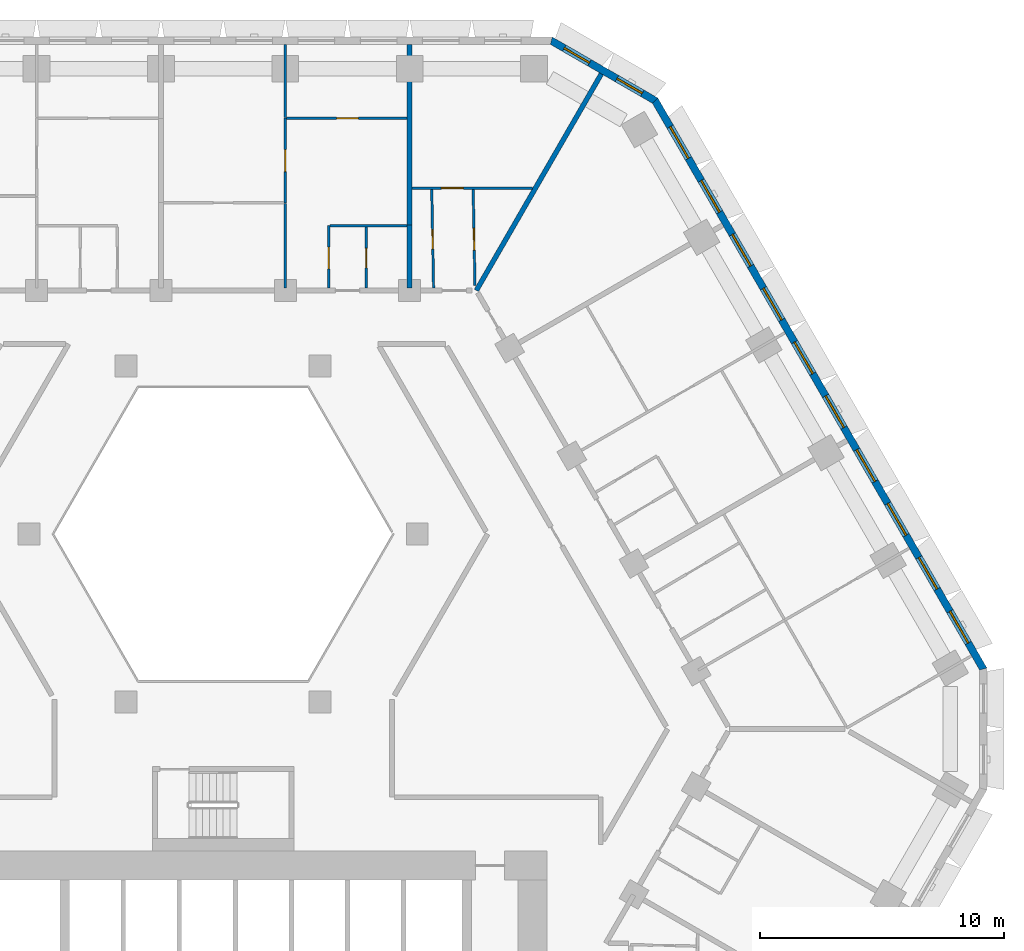
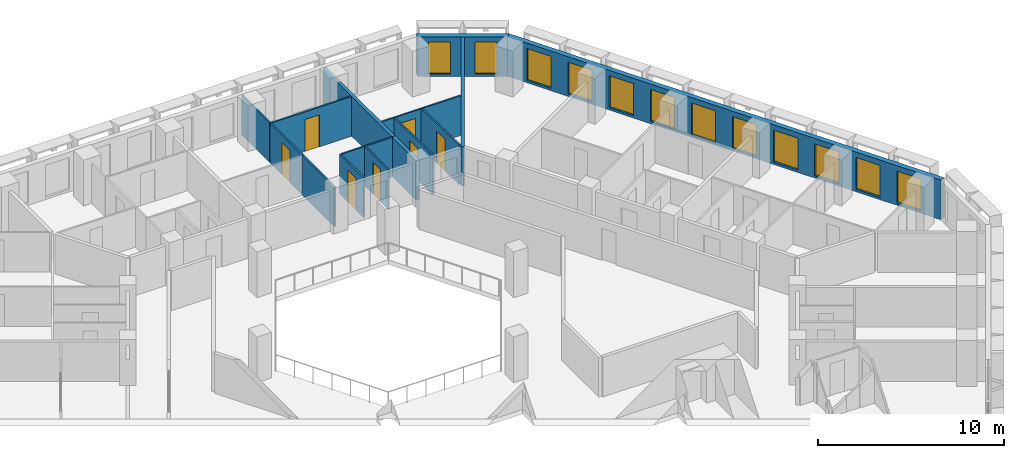
# One storey, part 12 of 21: 15 walls, 12 windows, 7 doors, 19 openings.
"""IFC4 building model written with IfcOpenShell, lengths in metres."""

from ifc_helpers import new_model, si_unit, direction, frame, frame_2d, origin, place, context, subcontext, project, spatial, polyline, rectangle, outline, extrude, material, layer, layer_set, type_object, element, fill, save


model = new_model("IFC4")

# Units and contexts
model_context = context("Model", 3, precision=1e-05, world=origin(), true_north=direction((0.0, 1.0)))
body_context = subcontext(model_context, "Body", "Model", "MODEL_VIEW")
ifc_project = project(units=[si_unit("LENGTHUNIT", "METRE"), si_unit("AREAUNIT", "SQUARE_METRE"), si_unit("VOLUMEUNIT", "CUBIC_METRE"), si_unit("PLANEANGLEUNIT", "RADIAN"), si_unit("MASSUNIT", "GRAM", prefix="KILO")], contexts=[model_context])

# Site, building, storey
site_placement = place(None, origin())
site = spatial("IfcSite", under=ifc_project, at=site_placement, CompositionType="ELEMENT")
building_placement = place(site_placement, origin())
building = spatial("IfcBuilding", under=site, at=building_placement, Name="Beryl Residences", CompositionType="ELEMENT")
storey_placement = place(building_placement, frame((0.0, 0.0, 59.39990234375)))
storey = spatial("IfcBuildingStorey", under=building, at=storey_placement, Name="L18", CompositionType="ELEMENT", Elevation=59.39990234375)

# Wall, openings, windows
ifc_material_1 = material(Name="Composite metal panel with mineral wool insulation")
ifc_layer_1 = layer(ifc_material_1, 0.300048828125)
ifc_layer_set_1 = layer_set([ifc_layer_1], Name="ES1 pale metal composite panel wall 300 mm")
wall_type_1 = type_object("IfcWallType", Name="ES1 pale metal composite panel wall 300 mm", PredefinedType="SOLIDWALL", material=ifc_layer_set_1)
wall_1_placement = place(storey_placement, frame((31.219970703125, 2.425048828125, 0.0), z_axis=(0.0, 0.0, 1.0), x_axis=(-0.500001938803, 0.866024284413, 0.0)))
wall_1 = element("IfcWall", 1, at=wall_1_placement, inside=storey, type_object=wall_type_1, Name="ES1 external wall L18 NE", PredefinedType="SOLIDWALL", context=body_context, shape_type="SweptSolid", body=[
    extrude(outline(polyline([(0.0, -0.14990234375), (27.02001953125, -0.14990234375), (26.939697265625, 0.14990234375), (0.080322265625, 0.14990234375), (0.0, -0.14990234375)])), origin(), (0.0, 0.0, 1.0), 2.60009765625),
])
opening_1_placement = place(wall_1_placement, frame((1.277099609375, 0.0, 0.14990234375)))
opening_1 = element("IfcOpeningElement", 2, at=opening_1_placement, cuts=wall_1, Name="Opening W1", PredefinedType="OPENING", context=body_context, shape_type="SweptSolid", body=[
    extrude(rectangle(XDim=1.5, YDim=2.10009765625, at=frame_2d((0.75, 1.050048828125))), frame((0.0, 0.159912109375, 0.0), z_axis=(0.0, -1.0, 0.0), x_axis=(1.0, 0.0, 0.0)), (0.0, 0.0, 1.0), 0.320068359375),
])
opening_2_placement = place(wall_1_placement, frame((3.8291015625, 0.0, 0.14990234375)))
opening_2 = element("IfcOpeningElement", 3, at=opening_2_placement, cuts=wall_1, Name="Opening W1", PredefinedType="OPENING", context=body_context, shape_type="SweptSolid", body=[
    extrude(rectangle(XDim=1.5, YDim=2.10009765625, at=frame_2d((0.75, 1.050048828125))), frame((0.0, 0.159912109375, 0.0), z_axis=(0.0, -1.0, 0.0), x_axis=(1.0, 0.0, 0.0)), (0.0, 0.0, 1.0), 0.320068359375),
])
opening_3_placement = place(wall_1_placement, frame((6.382080078125, 0.0, 0.14990234375)))
opening_3 = element("IfcOpeningElement", 4, at=opening_3_placement, cuts=wall_1, Name="Opening W1", PredefinedType="OPENING", context=body_context, shape_type="SweptSolid", body=[
    extrude(rectangle(XDim=1.5, YDim=2.10009765625, at=frame_2d((0.75, 1.050048828125))), frame((0.0, 0.159912109375, 0.0), z_axis=(0.0, -1.0, 0.0), x_axis=(1.0, 0.0, 0.0)), (0.0, 0.0, 1.0), 0.320068359375),
])
opening_4_placement = place(wall_1_placement, frame((8.93310546875, 0.0, 0.14990234375)))
opening_4 = element("IfcOpeningElement", 5, at=opening_4_placement, cuts=wall_1, Name="Opening W1", PredefinedType="OPENING", context=body_context, shape_type="SweptSolid", body=[
    extrude(rectangle(XDim=1.5, YDim=2.10009765625, at=frame_2d((0.75, 1.050048828125))), frame((0.0, 0.159912109375, 0.0), z_axis=(0.0, -1.0, 0.0), x_axis=(1.0, 0.0, 0.0)), (0.0, 0.0, 1.0), 0.320068359375),
])
opening_5_placement = place(wall_1_placement, frame((11.485107421875, 0.0, 0.14990234375)))
opening_5 = element("IfcOpeningElement", 6, at=opening_5_placement, cuts=wall_1, Name="Opening W1", PredefinedType="OPENING", context=body_context, shape_type="SweptSolid", body=[
    extrude(rectangle(XDim=1.5, YDim=2.10009765625, at=frame_2d((0.75, 1.050048828125))), frame((0.0, 0.159912109375, 0.0), z_axis=(0.0, -1.0, 0.0), x_axis=(1.0, 0.0, 0.0)), (0.0, 0.0, 1.0), 0.320068359375),
])
opening_6_placement = place(wall_1_placement, frame((14.037109375, 0.0, 0.14990234375)))
opening_6 = element("IfcOpeningElement", 7, at=opening_6_placement, cuts=wall_1, Name="Opening W1", PredefinedType="OPENING", context=body_context, shape_type="SweptSolid", body=[
    extrude(rectangle(XDim=1.5, YDim=2.10009765625, at=frame_2d((0.75, 1.050048828125))), frame((0.0, 0.159912109375, 0.0), z_axis=(0.0, -1.0, 0.0), x_axis=(1.0, 0.0, 0.0)), (0.0, 0.0, 1.0), 0.320068359375),
])
opening_7_placement = place(wall_1_placement, frame((16.589111328125, 0.0, 0.14990234375)))
opening_7 = element("IfcOpeningElement", 8, at=opening_7_placement, cuts=wall_1, Name="Opening W1", PredefinedType="OPENING", context=body_context, shape_type="SweptSolid", body=[
    extrude(rectangle(XDim=1.5, YDim=2.10009765625, at=frame_2d((0.75, 1.050048828125))), frame((0.0, 0.159912109375, 0.0), z_axis=(0.0, -1.0, 0.0), x_axis=(1.0, 0.0, 0.0)), (0.0, 0.0, 1.0), 0.320068359375),
])
opening_8_placement = place(wall_1_placement, frame((19.14111328125, 0.0, 0.14990234375)))
opening_8 = element("IfcOpeningElement", 9, at=opening_8_placement, cuts=wall_1, Name="Opening W1", PredefinedType="OPENING", context=body_context, shape_type="SweptSolid", body=[
    extrude(rectangle(XDim=1.5, YDim=2.10009765625, at=frame_2d((0.75, 1.050048828125))), frame((0.0, 0.159912109375, 0.0), z_axis=(0.0, -1.0, 0.0), x_axis=(1.0, 0.0, 0.0)), (0.0, 0.0, 1.0), 0.320068359375),
])
opening_9_placement = place(wall_1_placement, frame((21.693115234375, 0.0, 0.14990234375)))
opening_9 = element("IfcOpeningElement", 10, at=opening_9_placement, cuts=wall_1, Name="Opening W1", PredefinedType="OPENING", context=body_context, shape_type="SweptSolid", body=[
    extrude(rectangle(XDim=1.5, YDim=2.10009765625, at=frame_2d((0.75, 1.050048828125))), frame((0.0, 0.159912109375, 0.0), z_axis=(0.0, -1.0, 0.0), x_axis=(1.0, 0.0, 0.0)), (0.0, 0.0, 1.0), 0.320068359375),
])
opening_10_placement = place(wall_1_placement, frame((24.243896484375, 0.0, 0.14990234375)))
opening_10 = element("IfcOpeningElement", 11, at=opening_10_placement, cuts=wall_1, Name="Opening W1", PredefinedType="OPENING", context=body_context, shape_type="SweptSolid", body=[
    extrude(rectangle(XDim=1.5, YDim=2.10009765625, at=frame_2d((0.75, 1.050048828125))), frame((0.0, 0.159912109375, 0.0), z_axis=(0.0, -1.0, 0.0), x_axis=(1.0, 0.0, 0.0)), (0.0, 0.0, 1.0), 0.320068359375),
])
ifc_material_2 = material(Name="Aluminium and clear glass", Category="aluminium")
window_type_1 = type_object("IfcWindowType", Name="W1 cell window 1500 x 2100 mm", PartitioningType="SINGLE_PANEL", PredefinedType="WINDOW", material=ifc_material_2)
window_1_placement = place(opening_1_placement, origin())
window_1 = element("IfcWindow", 12, at=window_1_placement, inside=storey, type_object=window_type_1, Name="W1 window L18 NE 1", OverallHeight=2.10009765625, OverallWidth=1.5, PartitioningType="SINGLE_PANEL", PredefinedType="WINDOW", context=body_context, shape_type="SweptSolid", body=[
    extrude(rectangle(XDim=1.5, YDim=2.10009765625, at=frame_2d((0.75, 1.050048828125))), frame((0.0, 0.030029296875, 0.0), z_axis=(0.0, -1.0, 0.0), x_axis=(1.0, 0.0, 0.0)), (0.0, 0.0, 1.0), 0.06005859375),
])
fill(opening_1, window_1)
window_2_placement = place(opening_2_placement, origin())
window_2 = element("IfcWindow", 13, at=window_2_placement, inside=storey, type_object=window_type_1, Name="W1 window L18 NE 2", OverallHeight=2.10009765625, OverallWidth=1.5, PartitioningType="SINGLE_PANEL", PredefinedType="WINDOW", context=body_context, shape_type="SweptSolid", body=[
    extrude(rectangle(XDim=1.5, YDim=2.10009765625, at=frame_2d((0.75, 1.050048828125))), frame((0.0, 0.030029296875, 0.0), z_axis=(0.0, -1.0, 0.0), x_axis=(1.0, 0.0, 0.0)), (0.0, 0.0, 1.0), 0.06005859375),
])
fill(opening_2, window_2)
window_3_placement = place(opening_3_placement, origin())
window_3 = element("IfcWindow", 14, at=window_3_placement, inside=storey, type_object=window_type_1, Name="W1 window L18 NE 3", OverallHeight=2.10009765625, OverallWidth=1.5, PartitioningType="SINGLE_PANEL", PredefinedType="WINDOW", context=body_context, shape_type="SweptSolid", body=[
    extrude(rectangle(XDim=1.5, YDim=2.10009765625, at=frame_2d((0.75, 1.050048828125))), frame((0.0, 0.030029296875, 0.0), z_axis=(0.0, -1.0, 0.0), x_axis=(1.0, 0.0, 0.0)), (0.0, 0.0, 1.0), 0.06005859375),
])
fill(opening_3, window_3)
window_4_placement = place(opening_4_placement, origin())
window_4 = element("IfcWindow", 15, at=window_4_placement, inside=storey, type_object=window_type_1, Name="W1 window L18 NE 4", OverallHeight=2.10009765625, OverallWidth=1.5, PartitioningType="SINGLE_PANEL", PredefinedType="WINDOW", context=body_context, shape_type="SweptSolid", body=[
    extrude(rectangle(XDim=1.5, YDim=2.10009765625, at=frame_2d((0.75, 1.050048828125))), frame((0.0, 0.030029296875, 0.0), z_axis=(0.0, -1.0, 0.0), x_axis=(1.0, 0.0, 0.0)), (0.0, 0.0, 1.0), 0.06005859375),
])
fill(opening_4, window_4)
window_5_placement = place(opening_5_placement, origin())
window_5 = element("IfcWindow", 16, at=window_5_placement, inside=storey, type_object=window_type_1, Name="W1 window L18 NE 5", OverallHeight=2.10009765625, OverallWidth=1.5, PartitioningType="SINGLE_PANEL", PredefinedType="WINDOW", context=body_context, shape_type="SweptSolid", body=[
    extrude(rectangle(XDim=1.5, YDim=2.10009765625, at=frame_2d((0.75, 1.050048828125))), frame((0.0, 0.030029296875, 0.0), z_axis=(0.0, -1.0, 0.0), x_axis=(1.0, 0.0, 0.0)), (0.0, 0.0, 1.0), 0.06005859375),
])
fill(opening_5, window_5)
window_6_placement = place(opening_6_placement, origin())
window_6 = element("IfcWindow", 17, at=window_6_placement, inside=storey, type_object=window_type_1, Name="W1 window L18 NE 6", OverallHeight=2.10009765625, OverallWidth=1.5, PartitioningType="SINGLE_PANEL", PredefinedType="WINDOW", context=body_context, shape_type="SweptSolid", body=[
    extrude(rectangle(XDim=1.5, YDim=2.10009765625, at=frame_2d((0.75, 1.050048828125))), frame((0.0, 0.030029296875, 0.0), z_axis=(0.0, -1.0, 0.0), x_axis=(1.0, 0.0, 0.0)), (0.0, 0.0, 1.0), 0.06005859375),
])
fill(opening_6, window_6)
window_7_placement = place(opening_7_placement, origin())
window_7 = element("IfcWindow", 18, at=window_7_placement, inside=storey, type_object=window_type_1, Name="W1 window L18 NE 7", OverallHeight=2.10009765625, OverallWidth=1.5, PartitioningType="SINGLE_PANEL", PredefinedType="WINDOW", context=body_context, shape_type="SweptSolid", body=[
    extrude(rectangle(XDim=1.5, YDim=2.10009765625, at=frame_2d((0.75, 1.050048828125))), frame((0.0, 0.030029296875, 0.0), z_axis=(0.0, -1.0, 0.0), x_axis=(1.0, 0.0, 0.0)), (0.0, 0.0, 1.0), 0.06005859375),
])
fill(opening_7, window_7)
window_8_placement = place(opening_8_placement, origin())
window_8 = element("IfcWindow", 19, at=window_8_placement, inside=storey, type_object=window_type_1, Name="W1 window L18 NE 8", OverallHeight=2.10009765625, OverallWidth=1.5, PartitioningType="SINGLE_PANEL", PredefinedType="WINDOW", context=body_context, shape_type="SweptSolid", body=[
    extrude(rectangle(XDim=1.5, YDim=2.10009765625, at=frame_2d((0.75, 1.050048828125))), frame((0.0, 0.030029296875, 0.0), z_axis=(0.0, -1.0, 0.0), x_axis=(1.0, 0.0, 0.0)), (0.0, 0.0, 1.0), 0.06005859375),
])
fill(opening_8, window_8)
window_9_placement = place(opening_9_placement, origin())
window_9 = element("IfcWindow", 20, at=window_9_placement, inside=storey, type_object=window_type_1, Name="W1 window L18 NE 9", OverallHeight=2.10009765625, OverallWidth=1.5, PartitioningType="SINGLE_PANEL", PredefinedType="WINDOW", context=body_context, shape_type="SweptSolid", body=[
    extrude(rectangle(XDim=1.5, YDim=2.10009765625, at=frame_2d((0.75, 1.050048828125))), frame((0.0, 0.030029296875, 0.0), z_axis=(0.0, -1.0, 0.0), x_axis=(1.0, 0.0, 0.0)), (0.0, 0.0, 1.0), 0.06005859375),
])
fill(opening_9, window_9)
window_10_placement = place(opening_10_placement, origin())
window_10 = element("IfcWindow", 21, at=window_10_placement, inside=storey, type_object=window_type_1, Name="W1 window L18 NE 10", OverallHeight=2.10009765625, OverallWidth=1.5, PartitioningType="SINGLE_PANEL", PredefinedType="WINDOW", context=body_context, shape_type="SweptSolid", body=[
    extrude(rectangle(XDim=1.5, YDim=2.10009765625, at=frame_2d((0.75, 1.050048828125))), frame((0.0, 0.030029296875, 0.0), z_axis=(0.0, -1.0, 0.0), x_axis=(1.0, 0.0, 0.0)), (0.0, 0.0, 1.0), 0.06005859375),
])
fill(opening_10, window_10)

wall_2_placement = place(storey_placement, frame((17.764892578125, 25.77001953125, 0.0), z_axis=(0.0, 0.0, 1.0), x_axis=(-0.866010750942, 0.50002537861, 0.0)))
wall_2 = element("IfcWall", 22, at=wall_2_placement, inside=storey, type_object=wall_type_1, Name="ES1 external wall L18 NE-N", PredefinedType="SOLIDWALL", context=body_context, shape_type="SweptSolid", body=[
    extrude(outline(polyline([(0.0, -0.14990234375), (4.999755859375, -0.14990234375), (4.91943359375, 0.14990234375), (0.080322265625, 0.14990234375), (0.0, -0.14990234375)])), origin(), (0.0, 0.0, 1.0), 2.60009765625),
])
opening_11_placement = place(wall_2_placement, frame((0.64990234375, 0.0, 0.14990234375)))
opening_11 = element("IfcOpeningElement", 23, at=opening_11_placement, cuts=wall_2, Name="Opening W2", PredefinedType="OPENING", context=body_context, shape_type="SweptSolid", body=[
    extrude(rectangle(XDim=1.199951171875, YDim=2.10009765625, at=frame_2d((0.60009765625, 1.050048828125))), frame((0.0, 0.159912109375, 0.0), z_axis=(0.0, -1.0, 0.0), x_axis=(1.0, 0.0, 0.0)), (0.0, 0.0, 1.0), 0.320068359375),
])
opening_12_placement = place(wall_2_placement, frame((3.14990234375, 0.0, 0.14990234375)))
opening_12 = element("IfcOpeningElement", 24, at=opening_12_placement, cuts=wall_2, Name="Opening W2", PredefinedType="OPENING", context=body_context, shape_type="SweptSolid", body=[
    extrude(rectangle(XDim=1.199951171875, YDim=2.10009765625, at=frame_2d((0.60009765625, 1.050048828125))), frame((0.0, 0.159912109375, 0.0), z_axis=(0.0, -1.0, 0.0), x_axis=(1.0, 0.0, 0.0)), (0.0, 0.0, 1.0), 0.320068359375),
])
ifc_material_3 = material(Name="Aluminium and clear glass", Category="aluminium")
window_type_2 = type_object("IfcWindowType", Name="W2 chamfer window 1200 x 2100 mm", PartitioningType="SINGLE_PANEL", PredefinedType="WINDOW", material=ifc_material_3)
window_11_placement = place(opening_11_placement, origin())
window_11 = element("IfcWindow", 25, at=window_11_placement, inside=storey, type_object=window_type_2, Name="W2 window L18 NE-N 1", OverallHeight=2.10009765625, OverallWidth=1.199951171875, PartitioningType="SINGLE_PANEL", PredefinedType="WINDOW", context=body_context, shape_type="SweptSolid", body=[
    extrude(rectangle(XDim=1.199951171875, YDim=2.10009765625, at=frame_2d((0.60009765625, 1.050048828125))), frame((0.0, 0.030029296875, 0.0), z_axis=(0.0, -1.0, 0.0), x_axis=(1.0, 0.0, 0.0)), (0.0, 0.0, 1.0), 0.06005859375),
])
fill(opening_11, window_11)
window_12_placement = place(opening_12_placement, origin())
window_12 = element("IfcWindow", 26, at=window_12_placement, inside=storey, type_object=window_type_2, Name="W2 window L18 NE-N 2", OverallHeight=2.10009765625, OverallWidth=1.199951171875, PartitioningType="SINGLE_PANEL", PredefinedType="WINDOW", context=body_context, shape_type="SweptSolid", body=[
    extrude(rectangle(XDim=1.199951171875, YDim=2.10009765625, at=frame_2d((0.60009765625, 1.050048828125))), frame((0.0, 0.030029296875, 0.0), z_axis=(0.0, -1.0, 0.0), x_axis=(1.0, 0.0, 0.0)), (0.0, 0.0, 1.0), 0.06005859375),
])
fill(opening_12, window_12)

# Wall, opening, door
ifc_material_4 = material(Name="Gypsum board partition on steel studs", Category="steel")
ifc_layer_2 = layer(ifc_material_4, 0.10009765625)
ifc_layer_set_2 = layer_set([ifc_layer_2], Name="PT1 partition 100 mm gypsum board on steel studs")
wall_type_2 = type_object("IfcWallType", Name="PT1 partition 100 mm gypsum board on steel studs", PredefinedType="PARTITIONING", material=ifc_layer_set_2)
wall_3_placement = place(storey_placement, frame((8.56201171875, 22.14990234375, 0.0), z_axis=(0.0, 0.0, 1.0), x_axis=(0.018504185939, -0.999828782894, 0.0)))
wall_3 = element("IfcWall", 27, at=wall_3_placement, inside=storey, type_object=wall_type_2, Name="Wall PT1 L18 006", PredefinedType="PARTITIONING", context=body_context, shape_type="SweptSolid", body=[
    extrude(rectangle(XDim=4.050537109375, YDim=0.10009765625, at=frame_2d((2.025390625, 0.0))), origin(), (0.0, 0.0, 1.0), 2.60009765625),
])
opening_13_placement = place(wall_3_placement, frame((1.64990234375, 0.0, 0.0)))
opening_13 = element("IfcOpeningElement", 28, at=opening_13_placement, cuts=wall_3, Name="Opening D0316", PredefinedType="OPENING", context=body_context, shape_type="SweptSolid", body=[
    extrude(rectangle(XDim=0.800048828125, YDim=2.10009765625, at=frame_2d((0.39990234375, 1.050048828125))), frame((0.0, 0.06005859375, 0.0), z_axis=(0.0, -1.0, 0.0), x_axis=(1.0, 0.0, 0.0)), (0.0, 0.0, 1.0), 0.1201171875),
])
ifc_material_5 = material(Name="Timber door leaf", Category="wood")
door_type_1 = type_object("IfcDoorType", Name="D3 bathroom door 800 x 2100 mm", OperationType="SINGLE_SWING_LEFT", PredefinedType="DOOR", material=ifc_material_5)
door_1_placement = place(opening_13_placement, origin())
door_1 = element("IfcDoor", 29, at=door_1_placement, inside=storey, type_object=door_type_1, Name="Door D0316 L18 001", OperationType="SINGLE_SWING_RIGHT", OverallHeight=2.10009765625, OverallWidth=0.800048828125, PredefinedType="DOOR", context=body_context, shape_type="SweptSolid", body=[
    extrude(rectangle(XDim=0.800048828125, YDim=2.10009765625, at=frame_2d((0.39990234375, 1.050048828125))), frame((0.0, 0.02490234375, 0.0), z_axis=(0.0, -1.0, 0.0), x_axis=(1.0, 0.0, 0.0)), (0.0, 0.0, 1.0), 0.050048828125),
])
fill(opening_13, door_1)

wall_4_placement = place(storey_placement, frame((10.261962890625, 22.14990234375, 0.0), z_axis=(0.0, 0.0, 1.0), x_axis=(0.018696971826, -0.999825196344, 0.0)))
wall_4 = element("IfcWall", 30, at=wall_4_placement, inside=storey, type_object=wall_type_2, Name="Wall PT1 L18 007", PredefinedType="PARTITIONING", context=body_context, shape_type="SweptSolid", body=[
    extrude(rectangle(XDim=3.95654296875, YDim=0.10009765625, at=frame_2d((1.978271484375, 0.0))), origin(), (0.0, 0.0, 1.0), 2.60009765625),
])
opening_14_placement = place(wall_4_placement, frame((1.60009765625, 0.0, 0.0)))
opening_14 = element("IfcOpeningElement", 31, at=opening_14_placement, cuts=wall_4, Name="Opening D0317", PredefinedType="OPENING", context=body_context, shape_type="SweptSolid", body=[
    extrude(rectangle(XDim=0.89990234375, YDim=2.10009765625, at=frame_2d((0.449951171875, 1.050048828125))), frame((0.0, 0.06005859375, 0.0), z_axis=(0.0, -1.0, 0.0), x_axis=(1.0, 0.0, 0.0)), (0.0, 0.0, 1.0), 0.1201171875),
])
ifc_material_6 = material(Name="Timber door leaf", Category="wood")
door_type_2 = type_object("IfcDoorType", Name="D2 room door 900 x 2100 mm", OperationType="SINGLE_SWING_LEFT", PredefinedType="DOOR", material=ifc_material_6)
door_2_placement = place(opening_14_placement, origin())
door_2 = element("IfcDoor", 32, at=door_2_placement, inside=storey, type_object=door_type_2, Name="Door D0317 L18 001", OperationType="SINGLE_SWING_LEFT", OverallHeight=2.10009765625, OverallWidth=0.89990234375, PredefinedType="DOOR", context=body_context, shape_type="SweptSolid", body=[
    extrude(rectangle(XDim=0.89990234375, YDim=2.10009765625, at=frame_2d((0.449951171875, 1.050048828125))), frame((0.0, 0.02490234375, 0.0), z_axis=(0.0, -1.0, 0.0), x_axis=(1.0, 0.0, 0.0)), (0.0, 0.0, 1.0), 0.050048828125),
])
fill(opening_14, door_2)

# Walls
wall_5_placement = place(storey_placement, frame((2.551025390625, 28.10009765625, 0.0), z_axis=(0.0, 0.0, 1.0), x_axis=(0.0, -1.0, 0.0)))
element("IfcWall", 33, at=wall_5_placement, inside=storey, type_object=wall_type_2, Name="Wall PT1 L18 014", PredefinedType="PARTITIONING", context=body_context, shape_type="SweptSolid", body=[
    extrude(rectangle(XDim=3.0, YDim=0.10009765625, at=frame_2d((1.5, 0.0))), origin(), (0.0, 0.0, 1.0), 2.60009765625),
])
wall_6_placement = place(storey_placement, frame((2.551025390625, 21.570068359375, 0.0), z_axis=(0.0, 0.0, 1.0), x_axis=(0.0, -1.0, 0.0)))
element("IfcWall", 34, at=wall_6_placement, inside=storey, type_object=wall_type_2, Name="Wall PT1 L18 015", PredefinedType="PARTITIONING", context=body_context, shape_type="SweptSolid", body=[
    extrude(rectangle(XDim=3.469970703125, YDim=0.10009765625, at=frame_2d((1.73486328125, 0.0))), origin(), (0.0, 0.0, 1.0), 2.60009765625),
])
wall_7_placement = place(storey_placement, frame((4.387939453125, 20.659912109375, 0.0), z_axis=(0.0, 0.0, 1.0), x_axis=(1.0, 0.0, 0.0)))
element("IfcWall", 35, at=wall_7_placement, inside=storey, type_object=wall_type_2, Name="Wall PT1 L18 038", PredefinedType="PARTITIONING", context=body_context, shape_type="SweptSolid", body=[
    extrude(rectangle(XDim=3.1669921875, YDim=0.10009765625, at=frame_2d((1.58349609375, 0.0))), origin(), (0.0, 0.0, 1.0), 2.60009765625),
])

# Wall, opening, door
wall_8_placement = place(storey_placement, frame((7.7548828125, 22.199951171875, 0.0), z_axis=(0.0, 0.0, 1.0), x_axis=(1.0, 0.0, 0.0)))
wall_8 = element("IfcWall", 36, at=wall_8_placement, inside=storey, type_object=wall_type_2, Name="Wall PT1 L18 041", PredefinedType="PARTITIONING", context=body_context, shape_type="SweptSolid", body=[
    extrude(rectangle(XDim=4.947021484375, YDim=0.10009765625, at=frame_2d((2.4736328125, 0.0))), origin(), (0.0, 0.0, 1.0), 2.60009765625),
])
opening_15_placement = place(wall_8_placement, frame((1.2060546875, 0.0, 0.0)))
opening_15 = element("IfcOpeningElement", 37, at=opening_15_placement, cuts=wall_8, Name="Opening D0318", PredefinedType="OPENING", context=body_context, shape_type="SweptSolid", body=[
    extrude(rectangle(XDim=0.89990234375, YDim=2.10009765625, at=frame_2d((0.449951171875, 1.050048828125))), frame((0.0, 0.06005859375, 0.0), z_axis=(0.0, -1.0, 0.0), x_axis=(1.0, 0.0, 0.0)), (0.0, 0.0, 1.0), 0.1201171875),
])
door_3_placement = place(opening_15_placement, origin())
door_3 = element("IfcDoor", 38, at=door_3_placement, inside=storey, type_object=door_type_2, Name="Door D0318 L18 001", OperationType="SINGLE_SWING_RIGHT", OverallHeight=2.10009765625, OverallWidth=0.89990234375, PredefinedType="DOOR", context=body_context, shape_type="SweptSolid", body=[
    extrude(rectangle(XDim=0.89990234375, YDim=2.10009765625, at=frame_2d((0.449951171875, 1.050048828125))), frame((0.0, 0.02490234375, 0.0), z_axis=(0.0, -1.0, 0.0), x_axis=(1.0, 0.0, 0.0)), (0.0, 0.0, 1.0), 0.050048828125),
])
fill(opening_15, door_3)

wall_9_placement = place(storey_placement, frame((2.60107421875, 25.070068359375, 0.0), z_axis=(0.0, 0.0, 1.0), x_axis=(1.0, 0.0, 0.0)))
wall_9 = element("IfcWall", 39, at=wall_9_placement, inside=storey, type_object=wall_type_2, Name="Wall PT1 L18 043", PredefinedType="PARTITIONING", context=body_context, shape_type="SweptSolid", body=[
    extrude(rectangle(XDim=4.953857421875, YDim=0.10009765625, at=frame_2d((2.47705078125, 0.0))), origin(), (0.0, 0.0, 1.0), 2.60009765625),
])
opening_16_placement = place(wall_9_placement, frame((2.052001953125, 0.0, 0.0)))
opening_16 = element("IfcOpeningElement", 40, at=opening_16_placement, cuts=wall_9, Name="Opening D0322", PredefinedType="OPENING", context=body_context, shape_type="SweptSolid", body=[
    extrude(rectangle(XDim=0.89990234375, YDim=2.10009765625, at=frame_2d((0.449951171875, 1.050048828125))), frame((0.0, 0.06005859375, 0.0), z_axis=(0.0, -1.0, 0.0), x_axis=(1.0, 0.0, 0.0)), (0.0, 0.0, 1.0), 0.1201171875),
])
door_4_placement = place(opening_16_placement, origin())
door_4 = element("IfcDoor", 41, at=door_4_placement, inside=storey, type_object=door_type_2, Name="Door D0322 L18 001", OperationType="SINGLE_SWING_RIGHT", OverallHeight=2.10009765625, OverallWidth=0.89990234375, PredefinedType="DOOR", context=body_context, shape_type="SweptSolid", body=[
    extrude(rectangle(XDim=0.89990234375, YDim=2.10009765625, at=frame_2d((0.449951171875, 1.050048828125))), frame((0.0, 0.02490234375, 0.0), z_axis=(0.0, -1.0, 0.0), x_axis=(1.0, 0.0, 0.0)), (0.0, 0.0, 1.0), 0.050048828125),
])
fill(opening_16, door_4)

wall_10_placement = place(storey_placement, frame((4.3369140625, 18.10009765625, 0.0), z_axis=(0.0, 0.0, 1.0), x_axis=(0.0, 1.0, 0.0)))
wall_10 = element("IfcWall", 42, at=wall_10_placement, inside=storey, type_object=wall_type_2, Name="Wall PT1 L18 050", PredefinedType="PARTITIONING", context=body_context, shape_type="SweptSolid", body=[
    extrude(rectangle(XDim=2.558837890625, YDim=0.10009765625, at=frame_2d((1.279296875, 0.0))), origin(), (0.0, 0.0, 1.0), 2.60009765625),
])
opening_17_placement = place(wall_10_placement, frame((0.780029296875, 0.0, 0.0)))
opening_17 = element("IfcOpeningElement", 43, at=opening_17_placement, cuts=wall_10, Name="Opening D0320", PredefinedType="OPENING", context=body_context, shape_type="SweptSolid", body=[
    extrude(rectangle(XDim=0.89990234375, YDim=2.10009765625, at=frame_2d((0.449951171875, 1.050048828125))), frame((0.0, 0.06005859375, 0.0), z_axis=(0.0, -1.0, 0.0), x_axis=(1.0, 0.0, 0.0)), (0.0, 0.0, 1.0), 0.1201171875),
])
door_5_placement = place(opening_17_placement, origin())
door_5 = element("IfcDoor", 44, at=door_5_placement, inside=storey, type_object=door_type_2, Name="Door D0320 L18 001", OperationType="SINGLE_SWING_RIGHT", OverallHeight=2.10009765625, OverallWidth=0.89990234375, PredefinedType="DOOR", context=body_context, shape_type="SweptSolid", body=[
    extrude(rectangle(XDim=0.89990234375, YDim=2.10009765625, at=frame_2d((0.449951171875, 1.050048828125))), frame((0.0, 0.02490234375, 0.0), z_axis=(0.0, -1.0, 0.0), x_axis=(1.0, 0.0, 0.0)), (0.0, 0.0, 1.0), 0.050048828125),
])
fill(opening_17, door_5)

wall_11_placement = place(storey_placement, frame((5.868896484375, 18.10009765625, 0.0), z_axis=(0.0, 0.0, 1.0), x_axis=(0.0, 1.0, 0.0)))
wall_11 = element("IfcWall", 45, at=wall_11_placement, inside=storey, type_object=wall_type_2, Name="Wall PT1 L18 051", PredefinedType="PARTITIONING", context=body_context, shape_type="SweptSolid", body=[
    extrude(rectangle(XDim=2.510009765625, YDim=0.10009765625, at=frame_2d((1.2548828125, 0.0))), origin(), (0.0, 0.0, 1.0), 2.60009765625),
])
opening_18_placement = place(wall_11_placement, frame((0.830078125, 0.0, 0.0)))
opening_18 = element("IfcOpeningElement", 46, at=opening_18_placement, cuts=wall_11, Name="Opening D0321", PredefinedType="OPENING", context=body_context, shape_type="SweptSolid", body=[
    extrude(rectangle(XDim=0.800048828125, YDim=2.10009765625, at=frame_2d((0.39990234375, 1.050048828125))), frame((0.0, 0.06005859375, 0.0), z_axis=(0.0, -1.0, 0.0), x_axis=(1.0, 0.0, 0.0)), (0.0, 0.0, 1.0), 0.1201171875),
])
door_6_placement = place(opening_18_placement, origin())
door_6 = element("IfcDoor", 47, at=door_6_placement, inside=storey, type_object=door_type_1, Name="Door D0321 L18 001", OperationType="SINGLE_SWING_LEFT", OverallHeight=2.10009765625, OverallWidth=0.800048828125, PredefinedType="DOOR", context=body_context, shape_type="SweptSolid", body=[
    extrude(rectangle(XDim=0.800048828125, YDim=2.10009765625, at=frame_2d((0.39990234375, 1.050048828125))), frame((0.0, 0.02490234375, 0.0), z_axis=(0.0, -1.0, 0.0), x_axis=(1.0, 0.0, 0.0)), (0.0, 0.0, 1.0), 0.050048828125),
])
fill(opening_18, door_6)

wall_12_placement = place(storey_placement, frame((2.551025390625, 21.580078125, 0.0), z_axis=(0.0, 0.0, 1.0), x_axis=(0.0, 1.0, 0.0)))
wall_12 = element("IfcWall", 48, at=wall_12_placement, inside=storey, type_object=wall_type_2, Name="Wall PT1 L18 058", PredefinedType="PARTITIONING", context=body_context, shape_type="SweptSolid", body=[
    extrude(rectangle(XDim=3.489990234375, YDim=0.10009765625, at=frame_2d((1.7451171875, 0.0))), origin(), (0.0, 0.0, 1.0), 2.60009765625),
])
opening_19_placement = place(wall_12_placement, frame((1.294921875, 0.0, 0.0)))
opening_19 = element("IfcOpeningElement", 49, at=opening_19_placement, cuts=wall_12, Name="Opening D0323", PredefinedType="OPENING", context=body_context, shape_type="SweptSolid", body=[
    extrude(rectangle(XDim=0.89990234375, YDim=2.10009765625, at=frame_2d((0.449951171875, 1.050048828125))), frame((0.0, 0.06005859375, 0.0), z_axis=(0.0, -1.0, 0.0), x_axis=(1.0, 0.0, 0.0)), (0.0, 0.0, 1.0), 0.1201171875),
])
door_7_placement = place(opening_19_placement, origin())
door_7 = element("IfcDoor", 50, at=door_7_placement, inside=storey, type_object=door_type_2, Name="Door D0323 L18 001", OperationType="SINGLE_SWING_LEFT", OverallHeight=2.10009765625, OverallWidth=0.89990234375, PredefinedType="DOOR", context=body_context, shape_type="SweptSolid", body=[
    extrude(rectangle(XDim=0.89990234375, YDim=2.10009765625, at=frame_2d((0.449951171875, 1.050048828125))), frame((0.0, 0.02490234375, 0.0), z_axis=(0.0, -1.0, 0.0), x_axis=(1.0, 0.0, 0.0)), (0.0, 0.0, 1.0), 0.050048828125),
])
fill(opening_19, door_7)

# Walls
ifc_material_7 = material(Name="Acoustic double stud gypsum board wall")
ifc_layer_3 = layer(ifc_material_7, 0.199951171875)
ifc_layer_set_3 = layer_set([ifc_layer_3], Name="PT3 party wall 200 mm acoustic double stud")
wall_type_3 = type_object("IfcWallType", Name="PT3 party wall 200 mm acoustic double stud", PredefinedType="PARTITIONING", material=ifc_layer_set_3)
wall_13_placement = place(storey_placement, frame((7.655029296875, 20.679931640625, 0.0), z_axis=(0.0, 0.0, 1.0), x_axis=(0.0, -1.0, 0.0)))
element("IfcWall", 51, at=wall_13_placement, inside=storey, type_object=wall_type_3, Name="Wall PT3 L18 005", PredefinedType="PARTITIONING", context=body_context, shape_type="SweptSolid", body=[
    extrude(rectangle(XDim=2.579833984375, YDim=0.199951171875, at=frame_2d((1.2900390625, 0.0))), origin(), (0.0, 0.0, 1.0), 2.60009765625),
])
wall_14_placement = place(storey_placement, frame((10.39306640625, 18.0, 0.0), z_axis=(0.0, 0.0, 1.0), x_axis=(0.499945497007, 0.866056868816, 0.0)))
element("IfcWall", 52, at=wall_14_placement, inside=storey, type_object=wall_type_3, Name="Wall PT3 L18 017", PredefinedType="PARTITIONING", context=body_context, shape_type="SweptSolid", body=[
    extrude(rectangle(XDim=10.264892578125, YDim=0.199951171875, at=frame_2d((5.13232421875, 0.0))), origin(), (0.0, 0.0, 1.0), 2.60009765625),
])
wall_15_placement = place(storey_placement, frame((7.655029296875, 20.639892578125, 0.0), z_axis=(0.0, 0.0, 1.0), x_axis=(0.0, 1.0, 0.0)))
element("IfcWall", 53, at=wall_15_placement, inside=storey, type_object=wall_type_3, Name="Wall PT3 L18 018", PredefinedType="PARTITIONING", context=body_context, shape_type="SweptSolid", body=[
    extrude(rectangle(XDim=7.460205078125, YDim=0.199951171875, at=frame_2d((3.72998046875, 0.0))), origin(), (0.0, 0.0, 1.0), 2.60009765625),
])

save(model, "model.ifc")
